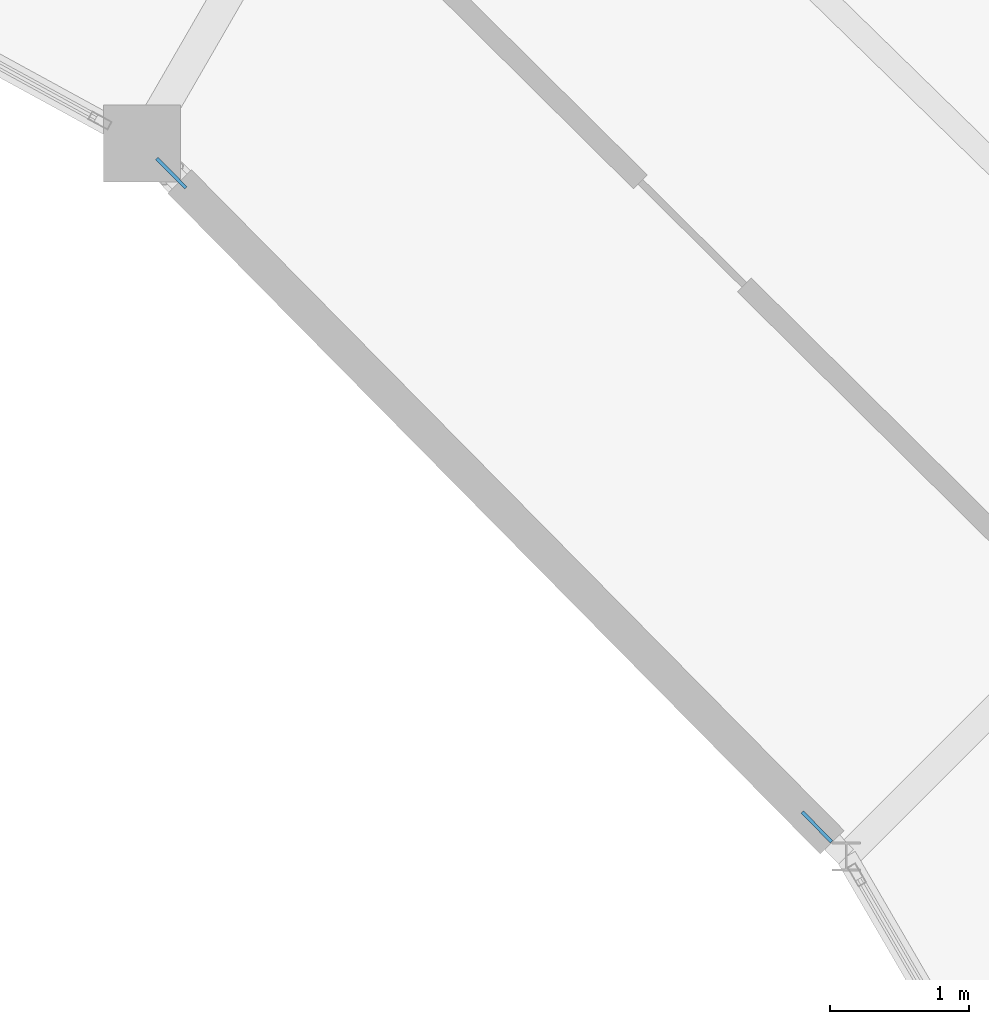
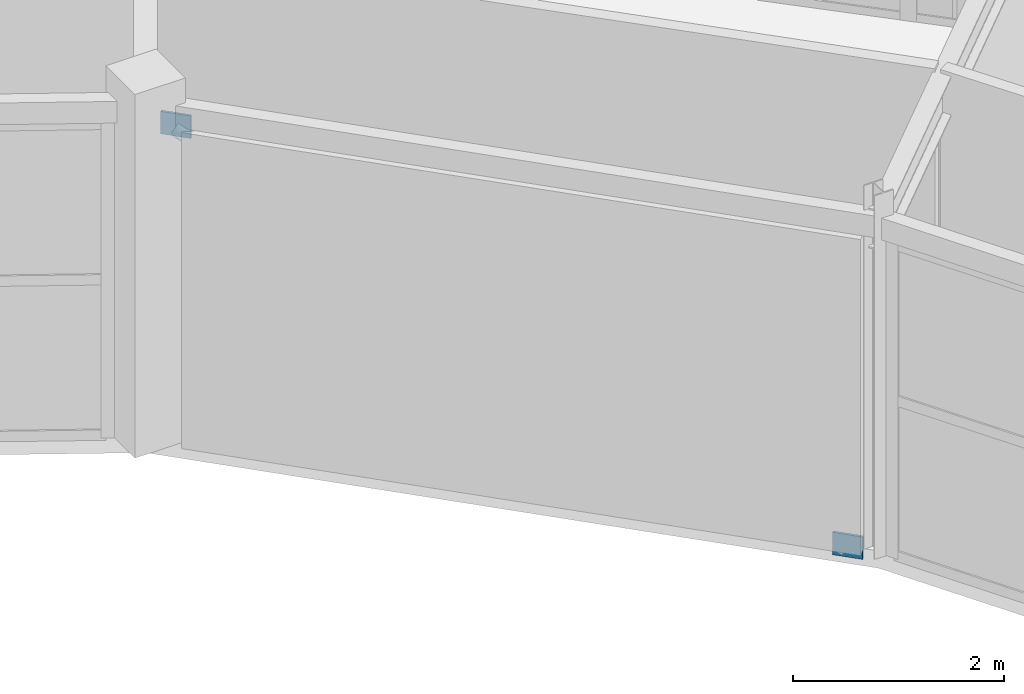
# One storey, part 135 of 157: 2 plates.
"""IFC4 building model written with IfcOpenShell, lengths in metres."""

from ifc_helpers import new_model, si_unit, direction, frame, origin, origin_2d, place, context, subcontext, project, spatial, rectangle, extrude, material, layer, layer_set, type_object, element, save


model = new_model("IFC4")

# Units and contexts
model_context = context("Model", 3, precision=1e-05, world=origin(), true_north=direction((0.0, 1.0)))
body_context = subcontext(model_context, "Body", "Model", "MODEL_VIEW")
ifc_project = project(units=[si_unit("LENGTHUNIT", "METRE"), si_unit("AREAUNIT", "SQUARE_METRE"), si_unit("VOLUMEUNIT", "CUBIC_METRE"), si_unit("PLANEANGLEUNIT", "RADIAN"), si_unit("MASSUNIT", "GRAM", prefix="KILO")], contexts=[model_context])

# Site, building, storey
site_placement = place(None, origin())
site = spatial("IfcSite", under=ifc_project, at=site_placement, CompositionType="ELEMENT")
building_placement = place(site_placement, origin())
building = spatial("IfcBuilding", under=site, at=building_placement, Name="Karori Crest Natural Sciences Institute", CompositionType="ELEMENT")
storey_placement = place(building_placement, frame((0.0, 0.0, 13.300048828125)))
storey = spatial("IfcBuildingStorey", under=building, at=storey_placement, Name="L03", CompositionType="ELEMENT", Elevation=13.300048828125)

# Plates
ifc_material = material(Name="Structural steel AS/NZS 3679.1 Grade 350", Category="steel")
ifc_layer = layer(ifc_material, 0.02490234375, Name="Structural steel AS/NZS 3679.1 Grade 350")
ifc_layer_set = layer_set([ifc_layer], Name="Structural steel AS/NZS 3679.1 Grade 350")
plate_type = type_object("IfcPlateType", Name="PLT-06", PredefinedType="SHEET", material=ifc_layer_set)
for number, where, z_axis, x_axis, name in (
    (1, (83.442626953125, 72.88232421875, -0.11962890625), (0.0, 0.0, 1.0), (-0.702663630174, 0.711522187167, 0.0), "Brace gusset plate EP-0033"),
    (2, (78.810791015625, 77.572509765625, 3.5205078125), (0.0, 0.0, 1.0), (-0.702663630174, 0.711522187167, 0.0), "Brace gusset plate EP-0034"),
):
    element("IfcPlate", number, at=place(storey_placement, frame(where, z_axis=z_axis, x_axis=x_axis)), inside=storey, type_object=plate_type, Name=name, PredefinedType="SHEET", context=body_context, shape_type="SweptSolid", body=[
        extrude(rectangle(XDim=0.299072265625, YDim=0.02490234375, at=origin_2d()), origin(), (0.0, 0.0, 1.0), 0.259033203125),
    ])

save(model, "model.ifc")
